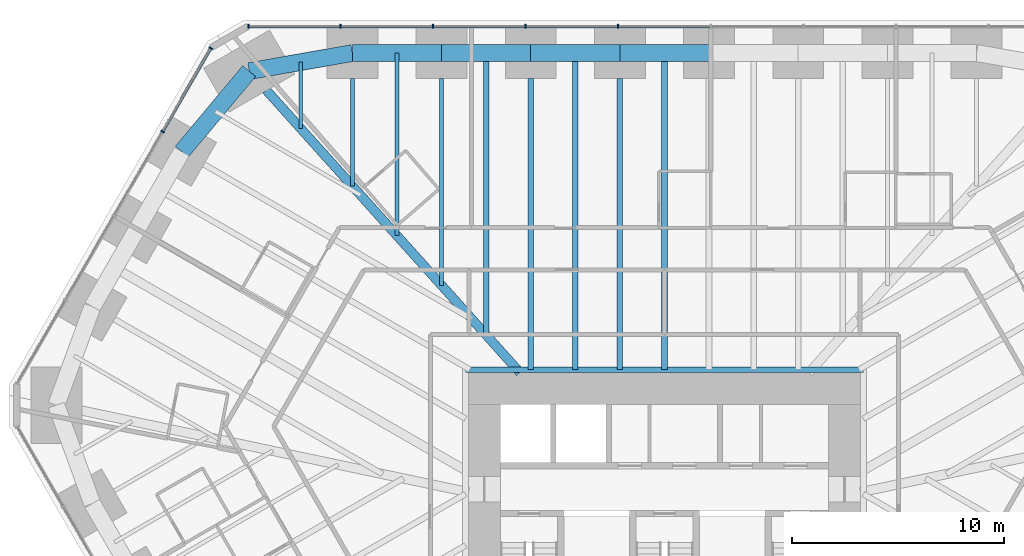
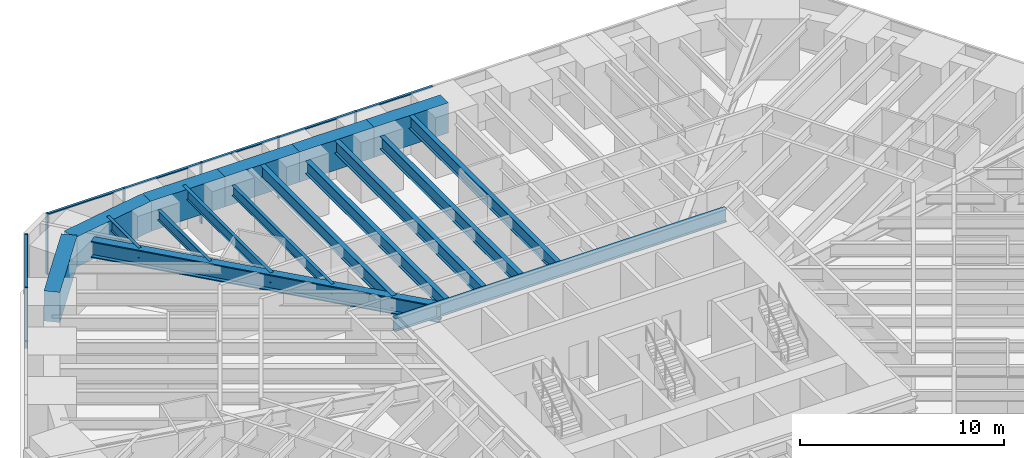
# One storey, part 8 of 17: 17 beams, 13 members, 2 elements without a shape of their own.
"""IFC4 building model written with IfcOpenShell, lengths in metres."""

from ifc_helpers import new_model, si_unit, direction, frame, origin, origin_2d, place, context, subcontext, project, spatial, rectangle, i_section, extrude, material, material_profile, profile_set, type_object, element, aggregate, save


model = new_model("IFC4")

# Units and contexts
model_context = context("Model", 3, precision=1e-05, world=origin(), true_north=direction((0.0, 1.0)))
body_context = subcontext(model_context, "Body", "Model", "MODEL_VIEW")
ifc_project = project(units=[si_unit("LENGTHUNIT", "METRE"), si_unit("AREAUNIT", "SQUARE_METRE"), si_unit("VOLUMEUNIT", "CUBIC_METRE"), si_unit("PLANEANGLEUNIT", "RADIAN"), si_unit("MASSUNIT", "GRAM", prefix="KILO")], contexts=[model_context])

# Site, building, storey
site_placement = place(None, origin())
site = spatial("IfcSite", under=ifc_project, at=site_placement, CompositionType="ELEMENT")
building_placement = place(site_placement, origin())
building = spatial("IfcBuilding", under=site, at=building_placement, Name="Sandreach Pilgrim Tower", CompositionType="ELEMENT")
storey_placement = place(building_placement, frame((0.0, 0.0, 53.39990234375)))
storey = spatial("IfcBuildingStorey", under=building, at=storey_placement, Name="L12", CompositionType="ELEMENT", Elevation=53.39990234375)

# Curtain wall, members
ifc_material_1 = material(Name="Aluminium framed curtain wall", Category="aluminium")
curtain_wall_type = type_object("IfcCurtainWallType", Name="Hostel tower curtain wall", PredefinedType="NOTDEFINED", material=ifc_material_1)
curtain_wall_1_placement = place(storey_placement, origin())
curtain_wall_1 = element("IfcCurtainWall", 1, at=curtain_wall_1_placement, inside=storey, type_object=curtain_wall_type, Name="CW-1 L12 N", PredefinedType="NOTDEFINED")
ifc_material_2 = material(Name="Aluminium extrusion", Category="aluminium")
ifc_material_profile_1 = material_profile(ifc_material_2, rectangle(XDim=0.06494140625, YDim=0.179931640625, at=origin_2d()), Name="CW-1M 65X180")
ifc_profile_set_1 = profile_set([ifc_material_profile_1], Name="Aluminium extrusion")
member_type_1 = type_object("IfcMemberType", Name="CW-1 mullion", PredefinedType="MULLION", material=ifc_profile_set_1)
member_1_placement = place(storey_placement, frame((-19.6396484375, 23.94873046875, 0.0), z_axis=(0.0, 0.0, 1.0), x_axis=(1.0, 0.0, 0.0)))
member_1 = element("IfcMember", 2, at=member_1_placement, type_object=member_type_1, Name="CW-1 mullion 1", PredefinedType="MULLION", context=body_context, shape_type="SweptSolid", body=[
    extrude(rectangle(XDim=0.06494140625, YDim=0.179931640625, at=origin_2d()), origin(), (0.0, 0.0, 1.0), 3.64013671875),
])
member_2_placement = place(storey_placement, frame((-15.300537109375, 23.94873046875, 0.0), z_axis=(0.0, 0.0, 1.0), x_axis=(1.0, 0.0, 0.0)))
member_2 = element("IfcMember", 3, at=member_2_placement, type_object=member_type_1, Name="CW-1 mullion 2", PredefinedType="MULLION", context=body_context, shape_type="SweptSolid", body=[
    extrude(rectangle(XDim=0.06494140625, YDim=0.179931640625, at=origin_2d()), origin(), (0.0, 0.0, 1.0), 3.64013671875),
])
member_3_placement = place(storey_placement, frame((-10.928955078125, 23.94873046875, 0.0), z_axis=(0.0, 0.0, 1.0), x_axis=(1.0, 0.0, 0.0)))
member_3 = element("IfcMember", 4, at=member_3_placement, type_object=member_type_1, Name="CW-1 mullion 3", PredefinedType="MULLION", context=body_context, shape_type="SweptSolid", body=[
    extrude(rectangle(XDim=0.06494140625, YDim=0.179931640625, at=origin_2d()), origin(), (0.0, 0.0, 1.0), 3.64013671875),
])
member_4_placement = place(storey_placement, frame((-6.557373046875, 23.94873046875, 0.0), z_axis=(0.0, 0.0, 1.0), x_axis=(1.0, 0.0, 0.0)))
member_4 = element("IfcMember", 5, at=member_4_placement, type_object=member_type_1, Name="CW-1 mullion 4", PredefinedType="MULLION", context=body_context, shape_type="SweptSolid", body=[
    extrude(rectangle(XDim=0.06494140625, YDim=0.179931640625, at=origin_2d()), origin(), (0.0, 0.0, 1.0), 3.64013671875),
])
member_5_placement = place(storey_placement, frame((-2.185791015625, 23.94873046875, 0.0), z_axis=(0.0, 0.0, 1.0), x_axis=(1.0, 0.0, 0.0)))
member_5 = element("IfcMember", 6, at=member_5_placement, type_object=member_type_1, Name="CW-1 mullion 5", PredefinedType="MULLION", context=body_context, shape_type="SweptSolid", body=[
    extrude(rectangle(XDim=0.06494140625, YDim=0.179931640625, at=origin_2d()), origin(), (0.0, 0.0, 1.0), 3.64013671875),
])

curtain_wall_2_placement = place(storey_placement, origin())
curtain_wall_2 = element("IfcCurtainWall", 7, at=curtain_wall_2_placement, inside=storey, type_object=curtain_wall_type, Name="CW-1 L12 NW", PredefinedType="NOTDEFINED")
member_6_placement = place(storey_placement, frame((-23.697265625, 18.97705078125, 0.0), z_axis=(0.0, 0.0, 1.0), x_axis=(0.5, 0.866025403784, 0.0)))
member_6 = element("IfcMember", 8, at=member_6_placement, type_object=member_type_1, Name="CW-1 mullion 4", PredefinedType="MULLION", context=body_context, shape_type="SweptSolid", body=[
    extrude(rectangle(XDim=0.06494140625, YDim=0.179931640625, at=origin_2d()), origin(), (0.0, 0.0, 1.0), 3.64013671875),
])
member_7_placement = place(storey_placement, frame((-21.42041015625, 22.920654296875, 0.0), z_axis=(0.0, 0.0, 1.0), x_axis=(0.5, 0.866025403784, 0.0)))
member_7 = element("IfcMember", 9, at=member_7_placement, type_object=member_type_1, Name="CW-1 mullion 5", PredefinedType="MULLION", context=body_context, shape_type="SweptSolid", body=[
    extrude(rectangle(XDim=0.06494140625, YDim=0.179931640625, at=origin_2d()), origin(), (0.0, 0.0, 1.0), 3.64013671875),
])

# Member
ifc_material_3 = material(Name="Aluminium extrusion", Category="aluminium")
ifc_material_profile_2 = material_profile(ifc_material_3, rectangle(XDim=0.139892578125, YDim=0.070068359375, at=origin_2d()), Name="CW-1T 140X70")
ifc_profile_set_2 = profile_set([ifc_material_profile_2], Name="Aluminium extrusion")
member_type_2 = type_object("IfcMemberType", Name="CW-1 transom", PredefinedType="USERDEFINED", material=ifc_profile_set_2)
member_8_placement = place(storey_placement, frame((-19.607177734375, 23.94873046875, 3.60498046875), z_axis=(1.0, 0.0, 0.0), x_axis=(0.0, 1.0, 0.0)))
member_8 = element("IfcMember", 10, at=member_8_placement, type_object=member_type_2, Name="CW-1 head transom 1", ObjectType="TRANSOM", PredefinedType="USERDEFINED", context=body_context, shape_type="SweptSolid", body=[
    extrude(rectangle(XDim=0.139892578125, YDim=0.070068359375, at=origin_2d()), origin(), (0.0, 0.0, 1.0), 4.274169921875),
])

member_9_placement = place(storey_placement, frame((-15.26806640625, 23.94873046875, 3.60498046875), z_axis=(1.0, 0.0, 0.0), x_axis=(0.0, 1.0, 0.0)))
member_9 = element("IfcMember", 11, at=member_9_placement, type_object=member_type_2, Name="CW-1 head transom 2", ObjectType="TRANSOM", PredefinedType="USERDEFINED", context=body_context, shape_type="SweptSolid", body=[
    extrude(rectangle(XDim=0.139892578125, YDim=0.070068359375, at=origin_2d()), origin(), (0.0, 0.0, 1.0), 4.306640625),
])

member_10_placement = place(storey_placement, frame((-10.896484375, 23.94873046875, 3.60498046875), z_axis=(1.0, 0.0, 0.0), x_axis=(0.0, 1.0, 0.0)))
member_10 = element("IfcMember", 12, at=member_10_placement, type_object=member_type_2, Name="CW-1 head transom 3", ObjectType="TRANSOM", PredefinedType="USERDEFINED", context=body_context, shape_type="SweptSolid", body=[
    extrude(rectangle(XDim=0.139892578125, YDim=0.070068359375, at=origin_2d()), origin(), (0.0, 0.0, 1.0), 4.306640625),
])

member_11_placement = place(storey_placement, frame((-6.52490234375, 23.94873046875, 3.60498046875), z_axis=(1.0, 0.0, 0.0), x_axis=(0.0, 1.0, 0.0)))
member_11 = element("IfcMember", 13, at=member_11_placement, type_object=member_type_2, Name="CW-1 head transom 4", ObjectType="TRANSOM", PredefinedType="USERDEFINED", context=body_context, shape_type="SweptSolid", body=[
    extrude(rectangle(XDim=0.139892578125, YDim=0.070068359375, at=origin_2d()), origin(), (0.0, 0.0, 1.0), 4.306640625),
])

member_12_placement = place(storey_placement, frame((-2.1533203125, 23.94873046875, 3.60498046875), z_axis=(1.0, 0.0, 0.0), x_axis=(0.0, 1.0, 0.0)))
member_12 = element("IfcMember", 14, at=member_12_placement, type_object=member_type_2, Name="CW-1 head transom 5", ObjectType="TRANSOM", PredefinedType="USERDEFINED", context=body_context, shape_type="SweptSolid", body=[
    extrude(rectangle(XDim=0.139892578125, YDim=0.070068359375, at=origin_2d()), origin(), (0.0, 0.0, 1.0), 4.306640625),
])

aggregate(curtain_wall_1, [member_1, member_2, member_3, member_4, member_5, member_8, member_9, member_10, member_11, member_12])

member_13_placement = place(storey_placement, frame((-23.680908203125, 19.005126953125, 3.60498046875), z_axis=(0.500017500808, 0.866015299452, 0.0), x_axis=(-0.866015299452, 0.500017500808, 0.0)))
member_13 = element("IfcMember", 15, at=member_13_placement, type_object=member_type_2, Name="CW-1 head transom 4", ObjectType="TRANSOM", PredefinedType="USERDEFINED", context=body_context, shape_type="SweptSolid", body=[
    extrude(rectangle(XDim=0.139892578125, YDim=0.070068359375, at=origin_2d()), origin(), (0.0, 0.0, 1.0), 4.488525390625),
])

aggregate(curtain_wall_2, [member_6, member_7, member_13])

# Beams
ifc_material_4 = material(Name="Steel ASTM A992 Grade 50", Category="steel")
ifc_material_profile_3 = material_profile(ifc_material_4, i_section(OverallWidth=0.2666015625, OverallDepth=0.77978515625, WebThickness=0.0166015625, FlangeThickness=0.030029296875, at=origin_2d()), Name="W30X148")
ifc_profile_set_3 = profile_set([ifc_material_profile_3], Name="Steel ASTM A992 Grade 50")
beam_type_1 = type_object("IfcBeamType", Name="Core edge beam W30X148", PredefinedType="BEAM", material=ifc_profile_set_3)
beam_1_placement = place(storey_placement, frame((-9.393310546875, 7.743408203125, 3.250244140625), z_axis=(1.0, 0.0, 0.0), x_axis=(0.0, 1.0, 0.0)))
element("IfcBeam", 16, at=beam_1_placement, inside=storey, type_object=beam_type_1, Name="BM L12 CEN", PredefinedType="BEAM", context=body_context, shape_type="SweptSolid", body=[
    extrude(i_section(OverallWidth=0.2666015625, OverallDepth=0.77978515625, WebThickness=0.0166015625, FlangeThickness=0.030029296875, at=origin_2d()), origin(), (0.0, 0.0, 1.0), 18.78662109375),
])
ifc_material_5 = material(Name="Steel ASTM A992 Grade 50", Category="steel")
ifc_material_profile_4 = material_profile(ifc_material_5, i_section(OverallWidth=0.431884765625, OverallDepth=0.988037109375, WebThickness=0.034423828125, FlangeThickness=0.06201171875, at=origin_2d()), Name="W36X441")
ifc_profile_set_4 = profile_set([ifc_material_profile_4], Name="Steel ASTM A992 Grade 50")
beam_type_2 = type_object("IfcBeamType", Name="Corner girder W36X441", PredefinedType="BEAM", material=ifc_profile_set_4)
beam_2_placement = place(storey_placement, frame((-18.8046875, 20.94189453125, 3.14599609375), z_axis=(0.668127834846, -0.74404650144, 0.0), x_axis=(0.74404650144, 0.668127834846, 0.0)))
element("IfcBeam", 17, at=beam_2_placement, inside=storey, type_object=beam_type_2, Name="BM L12 CG39", PredefinedType="BEAM", context=body_context, shape_type="SweptSolid", body=[
    extrude(i_section(OverallWidth=0.431884765625, OverallDepth=0.988037109375, WebThickness=0.034423828125, FlangeThickness=0.06201171875, at=origin_2d()), origin(), (0.0, 0.0, 1.0), 17.931396484375),
])
ifc_material_6 = material(Name="Steel ASTM A992 Grade 50", Category="steel")
ifc_material_profile_5 = material_profile(ifc_material_6, i_section(OverallWidth=0.1787109375, OverallDepth=0.60205078125, WebThickness=0.010986328125, FlangeThickness=0.014892578125, at=origin_2d()), Name="W24X62")
ifc_profile_set_5 = profile_set([ifc_material_profile_5], Name="Steel ASTM A992 Grade 50")
beam_type_3 = type_object("IfcBeamType", Name="Floor beam W24X62", PredefinedType="BEAM", material=ifc_profile_set_5)
beam_3_placement = place(storey_placement, frame((-14.734619140625, 21.48876953125, 3.339111328125), z_axis=(0.0, -1.0, 0.0), x_axis=(1.0, 0.0, 0.0)))
element("IfcBeam", 18, at=beam_3_placement, inside=storey, type_object=beam_type_3, Name="BM L12 F01", PredefinedType="BEAM", context=body_context, shape_type="SweptSolid", body=[
    extrude(i_section(OverallWidth=0.1787109375, OverallDepth=0.60205078125, WebThickness=0.010986328125, FlangeThickness=0.014892578125, at=origin_2d()), origin(), (0.0, 0.0, 1.0), 5.079345703125),
])
beam_4_placement = place(storey_placement, frame((-10.52490234375, 21.48876953125, 3.339111328125), z_axis=(0.0, -1.0, 0.0), x_axis=(1.0, 0.0, 0.0)))
element("IfcBeam", 19, at=beam_4_placement, inside=storey, type_object=beam_type_3, Name="BM L12 F02", PredefinedType="BEAM", context=body_context, shape_type="SweptSolid", body=[
    extrude(i_section(OverallWidth=0.1787109375, OverallDepth=0.60205078125, WebThickness=0.010986328125, FlangeThickness=0.014892578125, at=origin_2d()), origin(), (0.0, 0.0, 1.0), 9.767822265625),
])
beam_5_placement = place(storey_placement, frame((-12.629638671875, 22.688720703125, 3.339111328125), z_axis=(0.0, -1.0, 0.0), x_axis=(1.0, 0.0, 0.0)))
element("IfcBeam", 20, at=beam_5_placement, inside=storey, type_object=beam_type_3, Name="BM L12 FM01", PredefinedType="BEAM", context=body_context, shape_type="SweptSolid", body=[
    extrude(i_section(OverallWidth=0.1787109375, OverallDepth=0.60205078125, WebThickness=0.010986328125, FlangeThickness=0.014892578125, at=origin_2d()), origin(), (0.0, 0.0, 1.0), 8.62353515625),
])
beam_6_placement = place(storey_placement, frame((-17.17041015625, 22.26171875, 3.339111328125), z_axis=(0.0, -1.0, 0.0), x_axis=(1.0, 0.0, 0.0)))
element("IfcBeam", 21, at=beam_6_placement, inside=storey, type_object=beam_type_3, Name="BM L12 FM39", PredefinedType="BEAM", context=body_context, shape_type="SweptSolid", body=[
    extrude(i_section(OverallWidth=0.1787109375, OverallDepth=0.60205078125, WebThickness=0.010986328125, FlangeThickness=0.014892578125, at=origin_2d()), origin(), (0.0, 0.0, 1.0), 3.1396484375),
])
ifc_material_7 = material(Name="Steel ASTM A992 Grade 50", Category="steel")
ifc_material_profile_6 = material_profile(ifc_material_7, i_section(OverallWidth=0.2666015625, OverallDepth=0.761962890625, WebThickness=0.014404296875, FlangeThickness=0.021484375, at=origin_2d()), Name="W30X116")
ifc_profile_set_6 = profile_set([ifc_material_profile_6], Name="Steel ASTM A992 Grade 50")
beam_type_4 = type_object("IfcBeamType", Name="Floor beam W30X116", PredefinedType="BEAM", material=ifc_profile_set_6)
for number, where, z_axis, x_axis, name in (
    (22, (-6.31494140625, 21.48876953125, 3.259033203125), (0.0, -1.0, 0.0), (1.0, 0.0, 0.0), "BM L12 F03"),
    (23, (-2.10498046875, 21.48876953125, 3.259033203125), (0.0, -1.0, 0.0), (1.0, 0.0, 0.0), "BM L12 F04"),
):
    element("IfcBeam", number, at=place(storey_placement, frame(where, z_axis=z_axis, x_axis=x_axis)), inside=storey, type_object=beam_type_4, Name=name, PredefinedType="BEAM", context=body_context, shape_type="SweptSolid", body=[
        extrude(i_section(OverallWidth=0.2666015625, OverallDepth=0.761962890625, WebThickness=0.014404296875, FlangeThickness=0.021484375, at=origin_2d()), origin(), (0.0, 0.0, 1.0), 13.745361328125),
    ])
beam_7_placement = place(storey_placement, frame((-8.419921875, 22.688720703125, 3.259033203125), z_axis=(0.0, -1.0, 0.0), x_axis=(1.0, 0.0, 0.0)))
element("IfcBeam", 24, at=beam_7_placement, inside=storey, type_object=beam_type_4, Name="BM L12 FM02", PredefinedType="BEAM", context=body_context, shape_type="SweptSolid", body=[
    extrude(i_section(OverallWidth=0.2666015625, OverallDepth=0.761962890625, WebThickness=0.014404296875, FlangeThickness=0.021484375, at=origin_2d()), origin(), (0.0, 0.0, 1.0), 13.311767578125),
])
for number, where, z_axis, x_axis, name in (
    (25, (-4.2099609375, 22.688720703125, 3.259033203125), (0.0, -1.0, 0.0), (1.0, 0.0, 0.0), "BM L12 FM03"),
    (26, (0.0, 22.688720703125, 3.259033203125), (0.0, -1.0, 0.0), (1.0, 0.0, 0.0), "BM L12 FM04"),
):
    element("IfcBeam", number, at=place(storey_placement, frame(where, z_axis=z_axis, x_axis=x_axis)), inside=storey, type_object=beam_type_4, Name=name, PredefinedType="BEAM", context=body_context, shape_type="SweptSolid", body=[
        extrude(i_section(OverallWidth=0.2666015625, OverallDepth=0.761962890625, WebThickness=0.014404296875, FlangeThickness=0.021484375, at=origin_2d()), origin(), (0.0, 0.0, 1.0), 14.9453125),
    ])
ifc_material_8 = material(Name="Concrete 10000 psi", Category="concrete")
ifc_material_profile_7 = material_profile(ifc_material_8, rectangle(XDim=0.800048828125, YDim=1.800048828125, at=origin_2d()), Name="RC800X1800")
ifc_profile_set_7 = profile_set([ifc_material_profile_7], Name="Concrete 10000 psi")
beam_type_5 = type_object("IfcBeamType", Name="Spandrel beam RC800X1800", PredefinedType="SPANDREL", material=ifc_profile_set_7)
beam_8_placement = place(storey_placement, frame((-14.734619140625, 22.688720703125, 2.739990234375), z_axis=(1.0, 0.0, 0.0), x_axis=(0.0, 1.0, 0.0)))
element("IfcBeam", 27, at=beam_8_placement, inside=storey, type_object=beam_type_5, Name="BM L12 SP01", PredefinedType="SPANDREL", context=body_context, shape_type="SweptSolid", body=[
    extrude(rectangle(XDim=0.800048828125, YDim=1.800048828125, at=origin_2d()), origin(), (0.0, 0.0, 1.0), 4.209716796875),
])
for number, where, z_axis, x_axis, name in (
    (28, (-10.52490234375, 22.688720703125, 2.739990234375), (1.0, 0.0, 0.0), (0.0, 1.0, 0.0), "BM L12 SP02"),
    (29, (-6.31494140625, 22.688720703125, 2.739990234375), (1.0, 0.0, 0.0), (0.0, 1.0, 0.0), "BM L12 SP03"),
    (30, (-2.10498046875, 22.688720703125, 2.739990234375), (1.0, 0.0, 0.0), (0.0, 1.0, 0.0), "BM L12 SP04"),
):
    element("IfcBeam", number, at=place(storey_placement, frame(where, z_axis=z_axis, x_axis=x_axis)), inside=storey, type_object=beam_type_5, Name=name, PredefinedType="SPANDREL", context=body_context, shape_type="SweptSolid", body=[
        extrude(rectangle(XDim=0.800048828125, YDim=1.800048828125, at=origin_2d()), origin(), (0.0, 0.0, 1.0), 4.2099609375),
    ])
beam_9_placement = place(storey_placement, frame((-22.787841796875, 18.031982421875, 2.739990234375), z_axis=(0.641665295114, 0.766984777584, 0.0), x_axis=(-0.766984777584, 0.641665295114, 0.0)))
element("IfcBeam", 31, at=beam_9_placement, inside=storey, type_object=beam_type_5, Name="BM L12 SP38", PredefinedType="SPANDREL", context=body_context, shape_type="SweptSolid", body=[
    extrude(rectangle(XDim=0.800048828125, YDim=1.800048828125, at=origin_2d()), origin(), (0.0, 0.0, 1.0), 4.9580078125),
])
beam_10_placement = place(storey_placement, frame((-19.6064453125, 21.834716796875, 2.739990234375), z_axis=(0.984981186582, 0.172661698355, 0.0), x_axis=(-0.172661698355, 0.984981186582, 0.0)))
element("IfcBeam", 32, at=beam_10_placement, inside=storey, type_object=beam_type_5, Name="BM L12 SP39", PredefinedType="SPANDREL", context=body_context, shape_type="SweptSolid", body=[
    extrude(rectangle(XDim=0.800048828125, YDim=1.800048828125, at=origin_2d()), origin(), (0.0, 0.0, 1.0), 4.946044921875),
])

save(model, "model.ifc")
